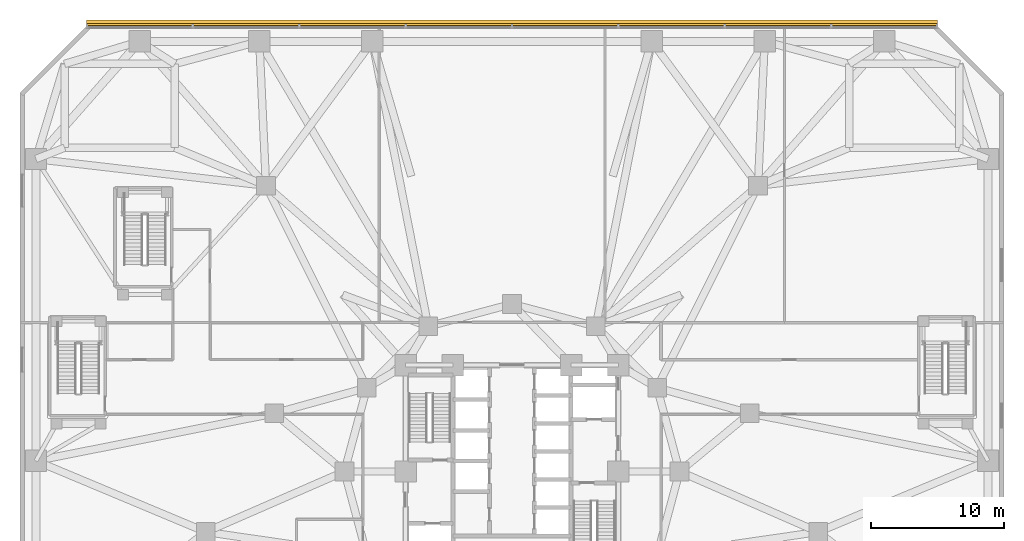
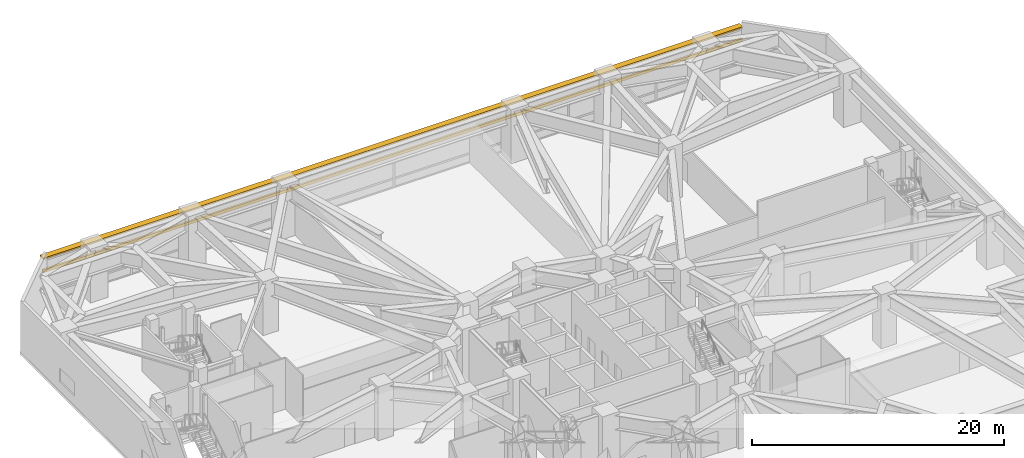
# One storey, part 26 of 27: 2 shading devices.
"""IFC4 building model written with IfcOpenShell, lengths in metres."""

import ifcopenshell
import ifcopenshell.guid

model = None  # the IFC model being written
_history = None  # IfcOwnerHistory: only IFC2X3 demands one
_inside = {}  # id of a spatial element -> (the spatial element, [elements in it])
_under = {}  # id of a project, library or spatial element -> (it, [spatial elements below it])
_declared = {}  # id of a project -> (the project, [libraries it declares])
_typed = {}  # id of a type object -> (the type object, [elements of that type])
_made_of = {}  # id of a material, layer set ... -> (it, [elements and type objects made of it])


def new_model(schema):
    """Start an empty IFC model of exactly this schema.

    Asked for "IFC4X3", IfcOpenShell would pick the latest addendum, in which some entities
    have other attributes; the version numbers below select the first issue.
    IFC2X3 requires an IfcOwnerHistory on every rooted entity: one is made here for all.
    """
    global model, _history
    if schema == "IFC4X3":
        model = ifcopenshell.file(schema_version=(4, 3, 0, 0))
    else:
        model = ifcopenshell.file(schema=schema)
    _inside.clear()
    _under.clear()
    _declared.clear()
    _typed.clear()
    _made_of.clear()
    _history = None
    if model.schema == "IFC2X3":
        org = make("IfcOrganization", Name="unknown")
        user = make(
            "IfcPersonAndOrganization",
            ThePerson=make("IfcPerson", FamilyName="unknown"),
            TheOrganization=org,
        )
        app = make(
            "IfcApplication",
            ApplicationDeveloper=org,
            Version="unknown",
            ApplicationFullName="unknown",
            ApplicationIdentifier="unknown",
        )
        _history = make(
            "IfcOwnerHistory",
            OwningUser=user,
            OwningApplication=app,
            ChangeAction="ADDED",
            CreationDate=0,
        )
    return model


def make(cls, **values):
    """One entity of the class cls with the attributes given. An attribute that is None is left unset."""
    return model.create_entity(
        cls, **{name: value for name, value in values.items() if value is not None}
    )


def rooted(cls, **values):
    """An entity with a GlobalId (a new one), such as an element, a storey or a relation."""
    return make(cls, GlobalId=ifcopenshell.guid.new(), OwnerHistory=_history, **values)


def si_unit(unit_type, name, prefix=None):
    """IfcSIUnit, for example si_unit("LENGTHUNIT", "METRE", prefix="MILLI")."""
    return make("IfcSIUnit", UnitType=unit_type, Prefix=prefix, Name=name)


def assignment(units):
    """IfcUnitAssignment: the units of a project."""
    return None if units is None else make("IfcUnitAssignment", Units=units)


def point(xyz):
    """IfcCartesianPoint."""
    return None if xyz is None else make("IfcCartesianPoint", Coordinates=xyz)


def direction(xyz):
    """IfcDirection."""
    return None if xyz is None else make("IfcDirection", DirectionRatios=xyz)


def frame(location, z_axis=None, x_axis=None):
    """IfcAxis2Placement3D, a coordinate frame: its origin and axes. An axis left out is left unset."""
    return make(
        "IfcAxis2Placement3D",
        Location=point(location),
        Axis=direction(z_axis),
        RefDirection=direction(x_axis),
    )


def frame_2d(location, x_axis=None):
    """IfcAxis2Placement2D, a coordinate frame in the plane: its origin and x axis."""
    return make(
        "IfcAxis2Placement2D", Location=point(location), RefDirection=direction(x_axis)
    )


def origin():
    """The frame at (0, 0, 0) with its axes left unset."""
    return frame((0.0, 0.0, 0.0))


def origin_2d():
    """The frame at (0, 0) in the plane with its x axis left unset."""
    return frame_2d((0.0, 0.0))


def place(relative_to, where):
    """IfcLocalPlacement: puts the frame where relative to a parent placement (None: the world)."""
    return make(
        "IfcLocalPlacement", PlacementRelTo=relative_to, RelativePlacement=where
    )


def context(
    kind, dimensions, precision=None, world=None, true_north=None, identifier=None
):
    """IfcGeometricRepresentationContext, for example the 3D "Model" context."""
    return make(
        "IfcGeometricRepresentationContext",
        ContextIdentifier=identifier,
        ContextType=kind,
        CoordinateSpaceDimension=dimensions,
        Precision=precision,
        WorldCoordinateSystem=world,
        TrueNorth=true_north,
    )


def subcontext(parent, identifier, kind, view, scale=None):
    """IfcGeometricRepresentationSubContext, for example "Body" below "Model"."""
    return make(
        "IfcGeometricRepresentationSubContext",
        ContextIdentifier=identifier,
        ContextType=kind,
        ParentContext=parent,
        TargetScale=scale,
        TargetView=view,
    )


def project(units=None, contexts=None):
    """IfcProject with its units and contexts."""
    return rooted(
        "IfcProject",
        Name="project",
        RepresentationContexts=contexts,
        UnitsInContext=assignment(units),
    )


def spatial(cls, under=None, at=None, **own):
    """A site, building, storey or space (cls), placed at a placement, below another one or the project."""
    s = rooted(cls, ObjectPlacement=at, **own)
    if under is not None:
        _under.setdefault(under.id(), (under, []))[1].append(s)
    return s


def profile(cls, at=None, kind="AREA", **sizes):
    """A parametric profile (cls). Its sizes go by their IFC names, for example OverallWidth=200.0."""
    return make(cls, ProfileType=kind, Position=at, **sizes)


def rectangle(**sizes):
    """IfcRectangleProfileDef."""
    return profile("IfcRectangleProfileDef", **sizes)


def extrude(swept, where, along, depth):
    """IfcExtrudedAreaSolid: the profile swept, set in the frame where, extruded along a direction by depth."""
    return make(
        "IfcExtrudedAreaSolid",
        SweptArea=swept,
        Position=where,
        ExtrudedDirection=direction(along),
        Depth=depth,
    )


def shape(context_of_items, identifier, shape_type, items):
    """IfcShapeRepresentation: the items that make up one representation, for example the "Body"."""
    return make(
        "IfcShapeRepresentation",
        ContextOfItems=context_of_items,
        RepresentationIdentifier=identifier,
        RepresentationType=shape_type,
        Items=items,
    )


def material(Name=None, Category=None):
    """IfcMaterial."""
    return make("IfcMaterial", Name=Name, Category=Category)


def made_of(thing, what):
    """Note that an element or type object is made of a material, layer set ...; save() writes the relation."""
    if what is not None:
        _made_of.setdefault(what.id(), (what, []))[1].append(thing)
    return thing


def type_object(cls, material=None, **own):
    """A type object (cls), such as IfcWallType, which elements share."""
    return made_of(rooted(cls, **own), material)


def element(
    cls,
    number,
    at=None,
    inside=None,
    cuts=None,
    type_object=None,
    material=None,
    context=None,
    identifier="Body",
    shape_type=None,
    held_by="IfcProductDefinitionShape",
    body=None,
    shapes=None,
    **own,
):
    """One element of the class cls, such as IfcWall. Its Tag is "e" and its number.

    at: its placement. inside: the storey or other place that contains it. cuts: it is an
    opening in that element (IfcRelVoidsElement). A single representation is given by context,
    identifier, shape_type and body (its items); several are given by shapes. held_by: the class
    of the entity that holds the representations. save() writes the other relations.
    """
    e = rooted(cls, Tag="e%d" % number, ObjectPlacement=at, **own)
    if body is not None:
        shapes = [shape(context, identifier, shape_type, body)]
    if shapes is not None:
        e.Representation = make(held_by, Representations=shapes)
    if inside is not None:
        _inside.setdefault(inside.id(), (inside, []))[1].append(e)
    if cuts is not None:
        rooted(
            "IfcRelVoidsElement", RelatingBuildingElement=cuts, RelatedOpeningElement=e
        )
    if type_object is not None:
        _typed.setdefault(type_object.id(), (type_object, []))[1].append(e)
    return made_of(e, material)


def aggregate(whole, parts):
    """IfcRelAggregates: a whole, such as a stair, and the parts it consists of."""
    return rooted("IfcRelAggregates", RelatingObject=whole, RelatedObjects=parts)


def save(model, path):
    """Write the relations noted so far, then the file.

    IfcRelAggregates (storeys below a building ...), IfcRelContainedInSpatialStructure (elements
    in a storey), IfcRelDefinesByType, IfcRelAssociatesMaterial and IfcRelDeclares: one each for
    every whole, place, type object, material and project.
    """
    for whole, parts in _under.values():
        aggregate(whole, parts)
    for where, things in _inside.values():
        rooted(
            "IfcRelContainedInSpatialStructure",
            RelatedElements=things,
            RelatingStructure=where,
        )
    for kind, things in _typed.values():
        rooted("IfcRelDefinesByType", RelatedObjects=things, RelatingType=kind)
    for what, things in _made_of.values():
        rooted("IfcRelAssociatesMaterial", RelatedObjects=things, RelatingMaterial=what)
    for by, libraries in _declared.values():
        rooted("IfcRelDeclares", RelatingContext=by, RelatedDefinitions=libraries)
    model.write(path)


model = new_model("IFC4")

# Units and contexts
model_context = context("Model", 3, precision=1e-05, world=origin(), true_north=direction((0.0, 1.0)))
body_context = subcontext(model_context, "Body", "Model", "MODEL_VIEW")
ifc_project = project(units=[si_unit("LENGTHUNIT", "METRE"), si_unit("AREAUNIT", "SQUARE_METRE"), si_unit("VOLUMEUNIT", "CUBIC_METRE"), si_unit("PLANEANGLEUNIT", "RADIAN"), si_unit("MASSUNIT", "GRAM", prefix="KILO")], contexts=[model_context])

# Site, building, storey
site_placement = place(None, origin())
site = spatial("IfcSite", under=ifc_project, at=site_placement, CompositionType="ELEMENT")
building_placement = place(site_placement, origin())
building = spatial("IfcBuilding", under=site, at=building_placement, Name="Terralouvre Media Tower", CompositionType="ELEMENT")
storey_placement = place(building_placement, frame((0.0, 0.0, 20.800048828125)))
storey = spatial("IfcBuildingStorey", under=building, at=storey_placement, Name="L04", CompositionType="ELEMENT", Elevation=20.800048828125)

# Shading devices
ifc_material_1 = material(Name="Extruded terracotta baguette sunshade louvres", Category="masonry")
shading_device_type_1 = type_object("IfcShadingDeviceType", Name="Podium Deep Terracotta Sunshade Canopy Blade TB-SH1", PredefinedType="USERDEFINED", material=ifc_material_1)
shading_device_1_placement = place(storey_placement, frame((0.0, 33.679931640625, 4.18017578125), z_axis=(0.0, 0.0, 1.0), x_axis=(-1.0, 0.0, 0.0)))
element("IfcShadingDevice", 1, at=shading_device_1_placement, inside=storey, type_object=shading_device_type_1, Name="L04 Podium Deep Sunshade Blade F4", ObjectType="SUNSHADE", PredefinedType="USERDEFINED", context=body_context, shape_type="SweptSolid", body=[
    extrude(rectangle(XDim=64.0, YDim=0.550048828125, at=origin_2d()), origin(), (0.0, 0.0, 1.0), 0.159912109375),
])
ifc_material_2 = material(Name="Extruded terracotta baguette sunshade louvres", Category="masonry")
shading_device_type_2 = type_object("IfcShadingDeviceType", Name="Terracotta Baguette Sunshade Louvre Screen TB-LV1", PredefinedType="USERDEFINED", material=ifc_material_2)
shading_device_2_placement = place(storey_placement, frame((0.0, 33.6201171875, 2.818359375), z_axis=(0.0, 0.0, 1.0), x_axis=(-1.0, 0.0, 0.0)))
element("IfcShadingDevice", 2, at=shading_device_2_placement, inside=storey, type_object=shading_device_type_2, Name="CW-L04-F4 Terracotta Baguette Sunshade Louvre", ObjectType="BAGUETTE", PredefinedType="USERDEFINED", context=body_context, shape_type="SweptSolid", body=[
    extrude(rectangle(XDim=64.0, YDim=0.179931640625, at=origin_2d()), origin(), (0.0, 0.0, 1.0), 0.280029296875),
])

save(model, "model.ifc")
